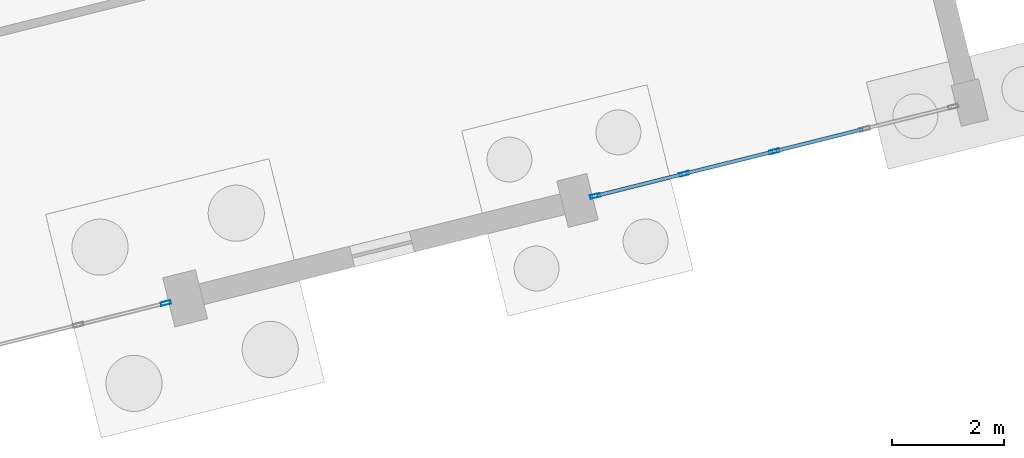
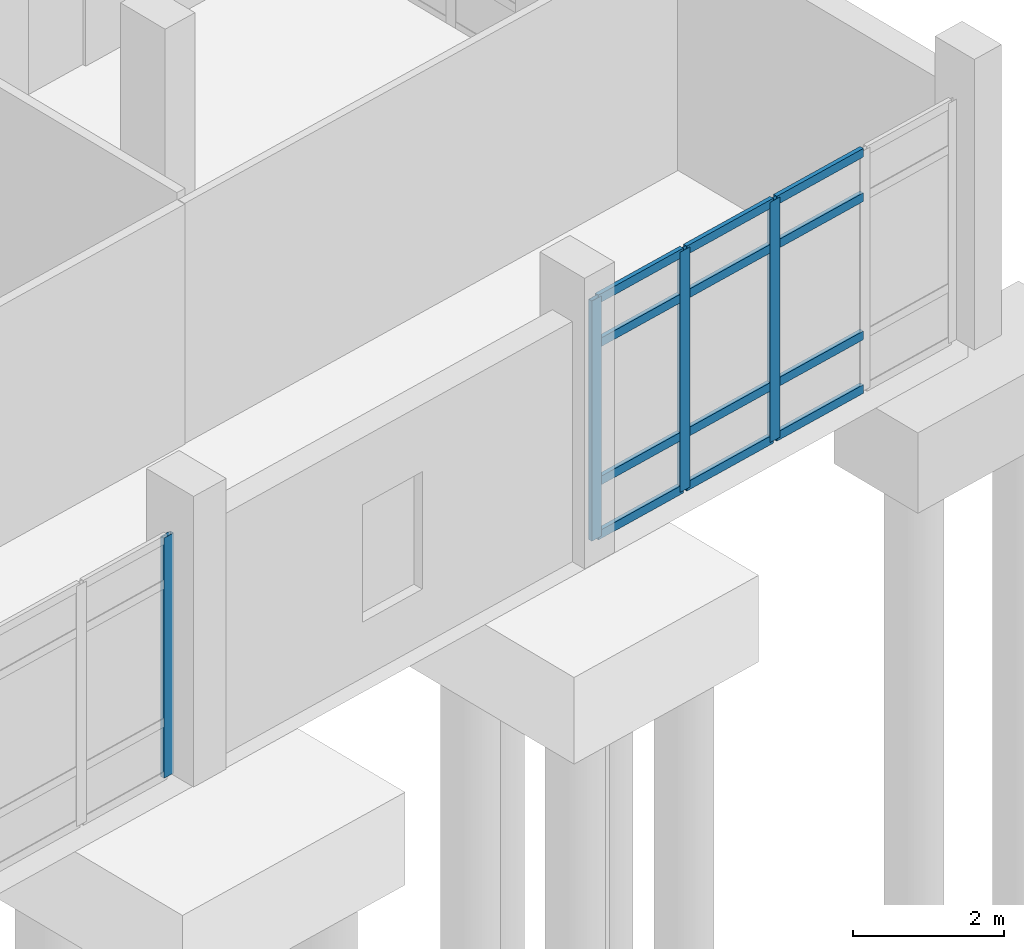
# One storey, part 93 of 173: 16 members, 2 elements without a shape of their own.
"""IFC4 building model written with IfcOpenShell, lengths in metres."""

from ifc_helpers import new_model, si_unit, direction, frame, origin, origin_2d, place, context, subcontext, project, spatial, hollow_rectangle, extrude, material, layer, layer_set, material_profile, profile_set, type_object, element, aggregate, save


model = new_model("IFC4")

# Units and contexts
model_context = context("Model", 3, precision=1e-05, world=origin(), true_north=direction((0.0, 1.0)))
body_context = subcontext(model_context, "Body", "Model", "MODEL_VIEW")
ifc_project = project(units=[si_unit("LENGTHUNIT", "METRE"), si_unit("AREAUNIT", "SQUARE_METRE"), si_unit("VOLUMEUNIT", "CUBIC_METRE"), si_unit("PLANEANGLEUNIT", "RADIAN"), si_unit("MASSUNIT", "GRAM", prefix="KILO")], contexts=[model_context])

# Site, building, storey
site_placement = place(None, origin())
site = spatial("IfcSite", under=ifc_project, at=site_placement, CompositionType="ELEMENT")
building_placement = place(site_placement, origin())
building = spatial("IfcBuilding", under=site, at=building_placement, Name="Mawjan Specialist Oncology Clinic", CompositionType="ELEMENT")
storey_placement = place(building_placement, origin())
storey = spatial("IfcBuildingStorey", under=building, at=storey_placement, Name="L00", CompositionType="ELEMENT", Elevation=0.0)

# Curtain wall, members
ifc_material_1 = material(Name="Unitised spectrally selective aluminium curtain wall", Category="aluminium")
ifc_layer_1 = layer(ifc_material_1, 0.179931640625, Name="Unitised spectrally selective aluminium curtain wall", Category="aluminium")
ifc_layer_set_1 = layer_set([ifc_layer_1], Name="Unitised spectrally selective aluminium curtain wall")
curtain_wall_type_1 = type_object("IfcCurtainWallType", Name="CW-35", PredefinedType="NOTDEFINED", material=ifc_layer_set_1)
curtain_wall_1_placement = place(storey_placement, origin())
curtain_wall_1 = element("IfcCurtainWall", 1, at=curtain_wall_1_placement, inside=storey, type_object=curtain_wall_type_1, Name="L00 Unitised Curtain Wall CW-L00-076", PredefinedType="NOTDEFINED")
ifc_material_2 = material(Name="Thermally broken aluminium 6063-T6", Category="aluminium")
ifc_material_profile_1 = material_profile(ifc_material_2, hollow_rectangle(XDim=0.06494140625, YDim=0.179931640625, WallThickness=0.00390625, at=origin_2d()), Name="ALU MULLION 180x65x4", Category="aluminium")
ifc_profile_set_1 = profile_set([ifc_material_profile_1], Name="Thermally broken aluminium 6063-T6")
member_type_1 = type_object("IfcMemberType", Name="CW-M180", PredefinedType="MULLION", material=ifc_profile_set_1)
member_1_placement = place(storey_placement, frame((157.44970703125, 8.641357421875, 0.0), z_axis=(0.0, 0.0, 1.0), x_axis=(0.241922074178, -0.970295681751, 0.0)))
member_1 = element("IfcMember", 2, at=member_1_placement, type_object=member_type_1, Name="CW-35 mullion 3", PredefinedType="MULLION", context=body_context, shape_type="SweptSolid", body=[
    extrude(hollow_rectangle(XDim=0.06494140625, YDim=0.179931640625, WallThickness=0.00390625, at=origin_2d()), origin(), (0.0, 0.0, 1.0), 3.885009765625),
])
member_2_placement = place(storey_placement, frame((155.84033203125, 8.239990234375, 0.0), z_axis=(0.0, 0.0, 1.0), x_axis=(0.241922074178, -0.970295681751, 0.0)))
member_2 = element("IfcMember", 3, at=member_2_placement, type_object=member_type_1, Name="CW-35 mullion 4", PredefinedType="MULLION", context=body_context, shape_type="SweptSolid", body=[
    extrude(hollow_rectangle(XDim=0.06494140625, YDim=0.179931640625, WallThickness=0.00390625, at=origin_2d()), origin(), (0.0, 0.0, 1.0), 3.885009765625),
])
member_3_placement = place(storey_placement, frame((154.26220703125, 7.8466796875, 0.0), z_axis=(0.0, 0.0, 1.0), x_axis=(0.241922074178, -0.970295681751, 0.0)))
member_3 = element("IfcMember", 4, at=member_3_placement, type_object=member_type_1, Name="CW-35 mullion 5", PredefinedType="MULLION", context=body_context, shape_type="SweptSolid", body=[
    extrude(hollow_rectangle(XDim=0.06494140625, YDim=0.179931640625, WallThickness=0.00390625, at=origin_2d()), origin(), (0.0, 0.0, 1.0), 3.885009765625),
])

# Curtain wall, member
ifc_material_3 = material(Name="Unitised spectrally selective aluminium curtain wall", Category="aluminium")
ifc_layer_2 = layer(ifc_material_3, 0.179931640625, Name="Unitised spectrally selective aluminium curtain wall", Category="aluminium")
ifc_layer_set_2 = layer_set([ifc_layer_2], Name="Unitised spectrally selective aluminium curtain wall")
curtain_wall_type_2 = type_object("IfcCurtainWallType", Name="CW-36", PredefinedType="NOTDEFINED", material=ifc_layer_set_2)
curtain_wall_2_placement = place(storey_placement, origin())
curtain_wall_2 = element("IfcCurtainWall", 5, at=curtain_wall_2_placement, inside=storey, type_object=curtain_wall_type_2, Name="L00 Unitised Curtain Wall CW-L00-077", PredefinedType="NOTDEFINED")
member_4_placement = place(storey_placement, frame((146.616455078125, 5.940185546875, 0.0), z_axis=(0.0, 0.0, 1.0), x_axis=(0.241921946692, -0.970295713537, 0.0)))
member_4 = element("IfcMember", 6, at=member_4_placement, type_object=member_type_1, Name="CW-36 mullion 1", PredefinedType="MULLION", context=body_context, shape_type="SweptSolid", body=[
    extrude(hollow_rectangle(XDim=0.06494140625, YDim=0.179931640625, WallThickness=0.00390625, at=origin_2d()), origin(), (0.0, 0.0, 1.0), 3.885009765625),
])
aggregate(curtain_wall_2, [member_4])

# Member
ifc_material_4 = material(Name="Thermally broken aluminium 6063-T6", Category="aluminium")
ifc_material_profile_2 = material_profile(ifc_material_4, hollow_rectangle(XDim=0.06494140625, YDim=0.139892578125, WallThickness=0.00390625, at=origin_2d()), Name="ALU TRANSOM 140x65x4", Category="aluminium")
ifc_profile_set_2 = profile_set([ifc_material_profile_2], Name="Thermally broken aluminium 6063-T6")
member_type_2 = type_object("IfcMemberType", Name="CW-T140", PredefinedType="USERDEFINED", material=ifc_profile_set_2)
member_5_placement = place(storey_placement, frame((159.027587890625, 9.03466796875, 0.032470703125), z_axis=(-0.970304484208, -0.241886766745, 0.0), x_axis=(0.241886766745, -0.970304484208, 0.0)))
member_5 = element("IfcMember", 7, at=member_5_placement, type_object=member_type_2, Name="CW-35 transom 2.1", ObjectType="TRANSOM", PredefinedType="USERDEFINED", context=body_context, shape_type="SweptSolid", body=[
    extrude(hollow_rectangle(XDim=0.06494140625, YDim=0.139892578125, WallThickness=0.00390625, at=origin_2d()), origin(), (0.0, 0.0, 1.0), 1.59375),
])

member_6_placement = place(storey_placement, frame((159.027587890625, 9.03466796875, 0.89990234375), z_axis=(-0.970304484208, -0.241886766745, 0.0), x_axis=(0.241886766745, -0.970304484208, 0.0)))
member_6 = element("IfcMember", 8, at=member_6_placement, type_object=member_type_2, Name="CW-35 transom 2.2", ObjectType="TRANSOM", PredefinedType="USERDEFINED", context=body_context, shape_type="SweptSolid", body=[
    extrude(hollow_rectangle(XDim=0.06494140625, YDim=0.139892578125, WallThickness=0.00390625, at=origin_2d()), origin(), (0.0, 0.0, 1.0), 1.59375),
])

member_7_placement = place(storey_placement, frame((159.027587890625, 9.03466796875, 3.135009765625), z_axis=(-0.970304484208, -0.241886766745, 0.0), x_axis=(0.241886766745, -0.970304484208, 0.0)))
member_7 = element("IfcMember", 9, at=member_7_placement, type_object=member_type_2, Name="CW-35 transom 2.3", ObjectType="TRANSOM", PredefinedType="USERDEFINED", context=body_context, shape_type="SweptSolid", body=[
    extrude(hollow_rectangle(XDim=0.06494140625, YDim=0.139892578125, WallThickness=0.00390625, at=origin_2d()), origin(), (0.0, 0.0, 1.0), 1.59375),
])

member_8_placement = place(storey_placement, frame((159.027587890625, 9.03466796875, 3.8525390625), z_axis=(-0.970304484208, -0.241886766745, 0.0), x_axis=(0.241886766745, -0.970304484208, 0.0)))
member_8 = element("IfcMember", 10, at=member_8_placement, type_object=member_type_2, Name="CW-35 transom 2.4", ObjectType="TRANSOM", PredefinedType="USERDEFINED", context=body_context, shape_type="SweptSolid", body=[
    extrude(hollow_rectangle(XDim=0.06494140625, YDim=0.139892578125, WallThickness=0.00390625, at=origin_2d()), origin(), (0.0, 0.0, 1.0), 1.59375),
])

member_9_placement = place(storey_placement, frame((157.418212890625, 8.633544921875, 0.032470703125), z_axis=(-0.970268520581, -0.242030985557, 0.0), x_axis=(0.242030985557, -0.970268520581, 0.0)))
member_9 = element("IfcMember", 11, at=member_9_placement, type_object=member_type_2, Name="CW-35 transom 3.1", ObjectType="TRANSOM", PredefinedType="USERDEFINED", context=body_context, shape_type="SweptSolid", body=[
    extrude(hollow_rectangle(XDim=0.06494140625, YDim=0.139892578125, WallThickness=0.00390625, at=origin_2d()), origin(), (0.0, 0.0, 1.0), 1.59375),
])

member_10_placement = place(storey_placement, frame((157.418212890625, 8.633544921875, 0.89990234375), z_axis=(-0.970268520581, -0.242030985557, 0.0), x_axis=(0.242030985557, -0.970268520581, 0.0)))
member_10 = element("IfcMember", 12, at=member_10_placement, type_object=member_type_2, Name="CW-35 transom 3.2", ObjectType="TRANSOM", PredefinedType="USERDEFINED", context=body_context, shape_type="SweptSolid", body=[
    extrude(hollow_rectangle(XDim=0.06494140625, YDim=0.139892578125, WallThickness=0.00390625, at=origin_2d()), origin(), (0.0, 0.0, 1.0), 1.59375),
])

member_11_placement = place(storey_placement, frame((157.418212890625, 8.633544921875, 3.135009765625), z_axis=(-0.970268520581, -0.242030985557, 0.0), x_axis=(0.242030985557, -0.970268520581, 0.0)))
member_11 = element("IfcMember", 13, at=member_11_placement, type_object=member_type_2, Name="CW-35 transom 3.3", ObjectType="TRANSOM", PredefinedType="USERDEFINED", context=body_context, shape_type="SweptSolid", body=[
    extrude(hollow_rectangle(XDim=0.06494140625, YDim=0.139892578125, WallThickness=0.00390625, at=origin_2d()), origin(), (0.0, 0.0, 1.0), 1.59375),
])

member_12_placement = place(storey_placement, frame((157.418212890625, 8.633544921875, 3.8525390625), z_axis=(-0.970268520581, -0.242030985557, 0.0), x_axis=(0.242030985557, -0.970268520581, 0.0)))
member_12 = element("IfcMember", 14, at=member_12_placement, type_object=member_type_2, Name="CW-35 transom 3.4", ObjectType="TRANSOM", PredefinedType="USERDEFINED", context=body_context, shape_type="SweptSolid", body=[
    extrude(hollow_rectangle(XDim=0.06494140625, YDim=0.139892578125, WallThickness=0.00390625, at=origin_2d()), origin(), (0.0, 0.0, 1.0), 1.59375),
])

member_13_placement = place(storey_placement, frame((155.80859375, 8.232177734375, 0.032470703125), z_axis=(-0.970298672181, -0.241910079914, 0.0), x_axis=(0.241910079914, -0.970298672181, 0.0)))
member_13 = element("IfcMember", 15, at=member_13_placement, type_object=member_type_2, Name="CW-35 transom 4.1", ObjectType="TRANSOM", PredefinedType="USERDEFINED", context=body_context, shape_type="SweptSolid", body=[
    extrude(hollow_rectangle(XDim=0.06494140625, YDim=0.139892578125, WallThickness=0.00390625, at=origin_2d()), origin(), (0.0, 0.0, 1.0), 1.561279296875),
])

member_14_placement = place(storey_placement, frame((155.80859375, 8.232177734375, 0.89990234375), z_axis=(-0.970298672181, -0.241910079914, 0.0), x_axis=(0.241910079914, -0.970298672181, 0.0)))
member_14 = element("IfcMember", 16, at=member_14_placement, type_object=member_type_2, Name="CW-35 transom 4.2", ObjectType="TRANSOM", PredefinedType="USERDEFINED", context=body_context, shape_type="SweptSolid", body=[
    extrude(hollow_rectangle(XDim=0.06494140625, YDim=0.139892578125, WallThickness=0.00390625, at=origin_2d()), origin(), (0.0, 0.0, 1.0), 1.561279296875),
])

member_15_placement = place(storey_placement, frame((155.80859375, 8.232177734375, 3.135009765625), z_axis=(-0.970298672181, -0.241910079914, 0.0), x_axis=(0.241910079914, -0.970298672181, 0.0)))
member_15 = element("IfcMember", 17, at=member_15_placement, type_object=member_type_2, Name="CW-35 transom 4.3", ObjectType="TRANSOM", PredefinedType="USERDEFINED", context=body_context, shape_type="SweptSolid", body=[
    extrude(hollow_rectangle(XDim=0.06494140625, YDim=0.139892578125, WallThickness=0.00390625, at=origin_2d()), origin(), (0.0, 0.0, 1.0), 1.561279296875),
])

member_16_placement = place(storey_placement, frame((155.80859375, 8.232177734375, 3.8525390625), z_axis=(-0.970298672181, -0.241910079914, 0.0), x_axis=(0.241910079914, -0.970298672181, 0.0)))
member_16 = element("IfcMember", 18, at=member_16_placement, type_object=member_type_2, Name="CW-35 transom 4.4", ObjectType="TRANSOM", PredefinedType="USERDEFINED", context=body_context, shape_type="SweptSolid", body=[
    extrude(hollow_rectangle(XDim=0.06494140625, YDim=0.139892578125, WallThickness=0.00390625, at=origin_2d()), origin(), (0.0, 0.0, 1.0), 1.561279296875),
])

aggregate(curtain_wall_1, [member_1, member_2, member_3, member_5, member_6, member_7, member_8, member_9, member_10, member_11, member_12, member_13, member_14, member_15, member_16])

save(model, "model.ifc")
